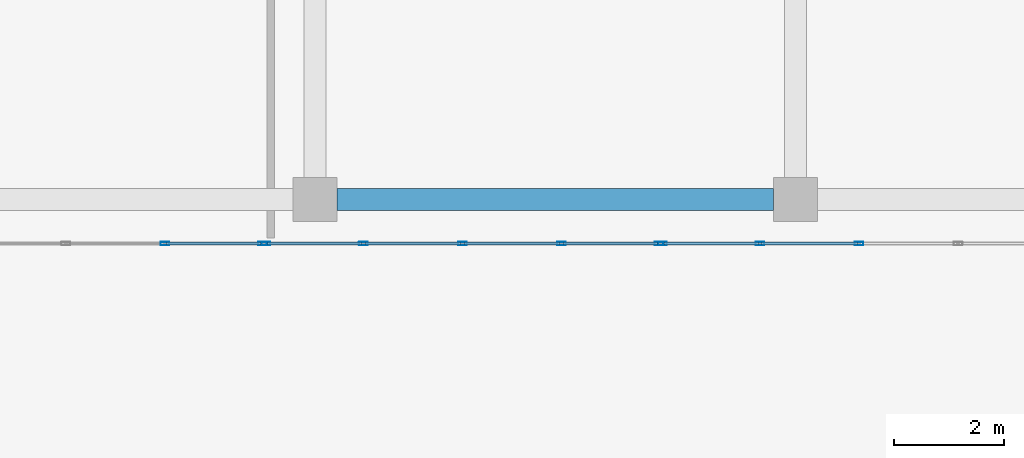
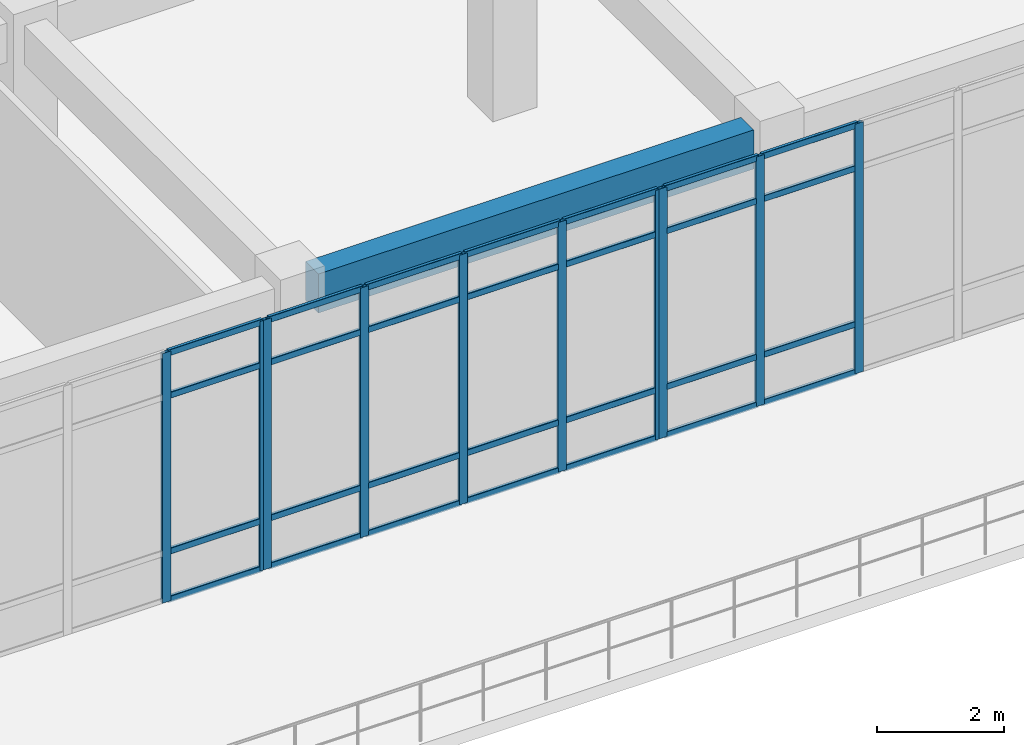
# One storey, part 13 of 96: 38 members, 1 beam, 3 elements without a shape of their own.
"""IFC4 building model written with IfcOpenShell, lengths in metres."""

from ifc_helpers import new_model, si_unit, derived_unit, direction, frame, origin, origin_2d, place, context, subcontext, project, spatial, rectangle, hollow_rectangle, extrude, material, layer, layer_set, material_profile, profile_set, type_object, element, aggregate, save


model = new_model("IFC4")

# Units and contexts
model_context = context("Model", 3, precision=1e-05, world=origin(), true_north=direction((0.0, 1.0)))
body_context = subcontext(model_context, "Body", "Model", "MODEL_VIEW")
ifc_project = project(units=[si_unit("LENGTHUNIT", "METRE"), si_unit("AREAUNIT", "SQUARE_METRE"), si_unit("VOLUMEUNIT", "CUBIC_METRE"), si_unit("PLANEANGLEUNIT", "RADIAN"), si_unit("MASSUNIT", "GRAM", prefix="KILO"), derived_unit("THERMALTRANSMITTANCEUNIT", [(si_unit("MASSUNIT", "GRAM", prefix="KILO"), 1), (si_unit("TIMEUNIT", "SECOND"), -3), (si_unit("THERMODYNAMICTEMPERATUREUNIT", "KELVIN"), -1)])], contexts=[model_context])

# Site, building, storey
site_placement = place(None, origin())
site = spatial("IfcSite", under=ifc_project, at=site_placement, CompositionType="ELEMENT")
building_placement = place(site_placement, origin())
building = spatial("IfcBuilding", under=site, at=building_placement, Name="Qinzheling Arcade Emporium", CompositionType="ELEMENT")
storey_placement = place(building_placement, frame((0.0, 0.0, 21.60009765625)))
storey = spatial("IfcBuildingStorey", under=building, at=storey_placement, Name="L05", CompositionType="ELEMENT", Elevation=21.60009765625)

# Curtain wall, members
ifc_material_1 = material(Name="Anodised aluminium and solar-control double glazing", Category="aluminium")
ifc_layer = layer(ifc_material_1, 0.159912109375, Name="Anodised aluminium and solar-control double glazing", Category="aluminium")
ifc_layer_set = layer_set([ifc_layer], Name="Anodised aluminium and solar-control double glazing")
curtain_wall_type = type_object("IfcCurtainWallType", Name="Arcade Portal Glazed Curtain Wall", PredefinedType="NOTDEFINED", material=ifc_layer_set)
curtain_wall_1_placement = place(storey_placement, origin())
curtain_wall_1 = element("IfcCurtainWall", 1, at=curtain_wall_1_placement, inside=storey, type_object=curtain_wall_type, Name="Curtain Wall CW-L05-299", PredefinedType="NOTDEFINED")
ifc_material_2 = material(Name="Anodised aluminium 6063-T6", Category="aluminium")
ifc_material_profile_1 = material_profile(ifc_material_2, hollow_rectangle(XDim=0.06005859375, YDim=0.159912109375, WallThickness=0.00390625, InnerFilletRadius=0.00390625, OuterFilletRadius=0.008056640625, at=origin_2d()), Name="RHS 160x60x4", Category="aluminium")
ifc_profile_set_1 = profile_set([ifc_material_profile_1], Name="Anodised aluminium 6063-T6")
member_type_1 = type_object("IfcMemberType", Name="Curtain Wall Mullion RHS160x60", PredefinedType="MULLION", material=ifc_profile_set_1)
member_1_placement = place(storey_placement, frame((44.64990234375, 7.60009765625, 0.0), z_axis=(0.0, 0.0, 1.0), x_axis=(0.0, -1.0, 0.0)))
member_1 = element("IfcMember", 2, at=member_1_placement, type_object=member_type_1, Name="CW05 mullion 3", PredefinedType="MULLION", context=body_context, shape_type="SweptSolid", body=[
    extrude(hollow_rectangle(XDim=0.06005859375, YDim=0.159912109375, WallThickness=0.00390625, InnerFilletRadius=0.00390625, OuterFilletRadius=0.008056640625, at=origin_2d()), origin(), (0.0, 0.0, 1.0), 4.789794921875),
])
member_2_placement = place(storey_placement, frame((42.85595703125, 7.60009765625, 0.0), z_axis=(0.0, 0.0, 1.0), x_axis=(0.0, -1.0, 0.0)))
member_2 = element("IfcMember", 3, at=member_2_placement, type_object=member_type_1, Name="CW05 mullion 4", PredefinedType="MULLION", context=body_context, shape_type="SweptSolid", body=[
    extrude(hollow_rectangle(XDim=0.06005859375, YDim=0.159912109375, WallThickness=0.00390625, InnerFilletRadius=0.00390625, OuterFilletRadius=0.008056640625, at=origin_2d()), origin(), (0.0, 0.0, 1.0), 4.789794921875),
])
member_3_placement = place(storey_placement, frame((41.092041015625, 7.60009765625, 0.0), z_axis=(0.0, 0.0, 1.0), x_axis=(0.0, -1.0, 0.0)))
member_3 = element("IfcMember", 4, at=member_3_placement, type_object=member_type_1, Name="CW05 mullion 5", PredefinedType="MULLION", context=body_context, shape_type="SweptSolid", body=[
    extrude(hollow_rectangle(XDim=0.06005859375, YDim=0.159912109375, WallThickness=0.00390625, InnerFilletRadius=0.00390625, OuterFilletRadius=0.008056640625, at=origin_2d()), origin(), (0.0, 0.0, 1.0), 4.789794921875),
])

curtain_wall_2_placement = place(storey_placement, origin())
curtain_wall_2 = element("IfcCurtainWall", 5, at=curtain_wall_2_placement, inside=storey, type_object=curtain_wall_type, Name="Curtain Wall CW-L05-300", PredefinedType="NOTDEFINED")
member_4_placement = place(storey_placement, frame((41.028076171875, 7.60009765625, 0.0), z_axis=(0.0, 0.0, 1.0), x_axis=(0.0, -1.0, 0.0)))
member_4 = element("IfcMember", 6, at=member_4_placement, type_object=member_type_1, Name="CW05 mullion 1", PredefinedType="MULLION", context=body_context, shape_type="SweptSolid", body=[
    extrude(hollow_rectangle(XDim=0.06005859375, YDim=0.159912109375, WallThickness=0.00390625, InnerFilletRadius=0.00390625, OuterFilletRadius=0.008056640625, at=origin_2d()), origin(), (0.0, 0.0, 1.0), 4.789794921875),
])
member_5_placement = place(storey_placement, frame((39.263916015625, 7.60009765625, 0.0), z_axis=(0.0, 0.0, 1.0), x_axis=(0.0, -1.0, 0.0)))
member_5 = element("IfcMember", 7, at=member_5_placement, type_object=member_type_1, Name="CW05 mullion 2", PredefinedType="MULLION", context=body_context, shape_type="SweptSolid", body=[
    extrude(hollow_rectangle(XDim=0.06005859375, YDim=0.159912109375, WallThickness=0.00390625, InnerFilletRadius=0.00390625, OuterFilletRadius=0.008056640625, at=origin_2d()), origin(), (0.0, 0.0, 1.0), 4.789794921875),
])
member_6_placement = place(storey_placement, frame((37.469970703125, 7.60009765625, 0.0), z_axis=(0.0, 0.0, 1.0), x_axis=(0.0, -1.0, 0.0)))
member_6 = element("IfcMember", 8, at=member_6_placement, type_object=member_type_1, Name="CW05 mullion 3", PredefinedType="MULLION", context=body_context, shape_type="SweptSolid", body=[
    extrude(hollow_rectangle(XDim=0.06005859375, YDim=0.159912109375, WallThickness=0.00390625, InnerFilletRadius=0.00390625, OuterFilletRadius=0.008056640625, at=origin_2d()), origin(), (0.0, 0.0, 1.0), 4.789794921875),
])
member_7_placement = place(storey_placement, frame((35.676025390625, 7.60009765625, 0.0), z_axis=(0.0, 0.0, 1.0), x_axis=(0.0, -1.0, 0.0)))
member_7 = element("IfcMember", 9, at=member_7_placement, type_object=member_type_1, Name="CW05 mullion 4", PredefinedType="MULLION", context=body_context, shape_type="SweptSolid", body=[
    extrude(hollow_rectangle(XDim=0.06005859375, YDim=0.159912109375, WallThickness=0.00390625, InnerFilletRadius=0.00390625, OuterFilletRadius=0.008056640625, at=origin_2d()), origin(), (0.0, 0.0, 1.0), 4.789794921875),
])
member_8_placement = place(storey_placement, frame((33.912109375, 7.60009765625, 0.0), z_axis=(0.0, 0.0, 1.0), x_axis=(0.0, -1.0, 0.0)))
member_8 = element("IfcMember", 10, at=member_8_placement, type_object=member_type_1, Name="CW05 mullion 5", PredefinedType="MULLION", context=body_context, shape_type="SweptSolid", body=[
    extrude(hollow_rectangle(XDim=0.06005859375, YDim=0.159912109375, WallThickness=0.00390625, InnerFilletRadius=0.00390625, OuterFilletRadius=0.008056640625, at=origin_2d()), origin(), (0.0, 0.0, 1.0), 4.789794921875),
])

curtain_wall_3_placement = place(storey_placement, origin())
curtain_wall_3 = element("IfcCurtainWall", 11, at=curtain_wall_3_placement, inside=storey, type_object=curtain_wall_type, Name="Curtain Wall CW-L05-301", PredefinedType="NOTDEFINED")
member_9_placement = place(storey_placement, frame((33.847900390625, 7.60009765625, 0.0), z_axis=(0.0, 0.0, 1.0), x_axis=(0.0, -1.0, 0.0)))
member_9 = element("IfcMember", 12, at=member_9_placement, type_object=member_type_1, Name="CW05 mullion 1", PredefinedType="MULLION", context=body_context, shape_type="SweptSolid", body=[
    extrude(hollow_rectangle(XDim=0.06005859375, YDim=0.159912109375, WallThickness=0.00390625, InnerFilletRadius=0.00390625, OuterFilletRadius=0.008056640625, at=origin_2d()), origin(), (0.0, 0.0, 1.0), 4.789794921875),
])
member_10_placement = place(storey_placement, frame((32.08349609375, 7.60009765625, 0.0), z_axis=(0.0, 0.0, 1.0), x_axis=(0.0, -1.0, 0.0)))
member_10 = element("IfcMember", 13, at=member_10_placement, type_object=member_type_1, Name="CW05 mullion 2", PredefinedType="MULLION", context=body_context, shape_type="SweptSolid", body=[
    extrude(hollow_rectangle(XDim=0.06005859375, YDim=0.159912109375, WallThickness=0.00390625, InnerFilletRadius=0.00390625, OuterFilletRadius=0.008056640625, at=origin_2d()), origin(), (0.0, 0.0, 1.0), 4.789794921875),
])

# Member
ifc_material_profile_2 = material_profile(ifc_material_2, hollow_rectangle(XDim=0.06005859375, YDim=0.1201171875, WallThickness=0.00390625, InnerFilletRadius=0.00390625, OuterFilletRadius=0.008056640625, at=origin_2d()), Name="RHS 120x60x4", Category="aluminium")
ifc_profile_set_2 = profile_set([ifc_material_profile_2], Name="Anodised aluminium 6063-T6")
member_type_2 = type_object("IfcMemberType", Name="Curtain Wall Transom RHS120x60", PredefinedType="USERDEFINED", material=ifc_profile_set_2)
member_11_placement = place(storey_placement, frame((44.6201171875, 7.60009765625, 0.02978515625), z_axis=(-1.0, 0.0, 0.0), x_axis=(0.0, -1.0, 0.0)))
member_11 = element("IfcMember", 14, at=member_11_placement, type_object=member_type_2, Name="CW05 transom 3.1", ObjectType="TRANSOM", PredefinedType="USERDEFINED", context=body_context, shape_type="SweptSolid", body=[
    extrude(hollow_rectangle(XDim=0.06005859375, YDim=0.1201171875, WallThickness=0.00390625, InnerFilletRadius=0.00390625, OuterFilletRadius=0.008056640625, at=origin_2d()), origin(), (0.0, 0.0, 1.0), 1.734130859375),
])

member_12_placement = place(storey_placement, frame((44.6201171875, 7.60009765625, 0.949951171875), z_axis=(-1.0, 0.0, 0.0), x_axis=(0.0, -1.0, 0.0)))
member_12 = element("IfcMember", 15, at=member_12_placement, type_object=member_type_2, Name="CW05 transom 3.2", ObjectType="TRANSOM", PredefinedType="USERDEFINED", context=body_context, shape_type="SweptSolid", body=[
    extrude(hollow_rectangle(XDim=0.06005859375, YDim=0.1201171875, WallThickness=0.00390625, InnerFilletRadius=0.00390625, OuterFilletRadius=0.008056640625, at=origin_2d()), origin(), (0.0, 0.0, 1.0), 1.734130859375),
])

member_13_placement = place(storey_placement, frame((44.6201171875, 7.60009765625, 3.93994140625), z_axis=(-1.0, 0.0, 0.0), x_axis=(0.0, -1.0, 0.0)))
member_13 = element("IfcMember", 16, at=member_13_placement, type_object=member_type_2, Name="CW05 transom 3.3", ObjectType="TRANSOM", PredefinedType="USERDEFINED", context=body_context, shape_type="SweptSolid", body=[
    extrude(hollow_rectangle(XDim=0.06005859375, YDim=0.1201171875, WallThickness=0.00390625, InnerFilletRadius=0.00390625, OuterFilletRadius=0.008056640625, at=origin_2d()), origin(), (0.0, 0.0, 1.0), 1.734130859375),
])

member_14_placement = place(storey_placement, frame((44.6201171875, 7.60009765625, 4.760009765625), z_axis=(-1.0, 0.0, 0.0), x_axis=(0.0, -1.0, 0.0)))
member_14 = element("IfcMember", 17, at=member_14_placement, type_object=member_type_2, Name="CW05 transom 3.4", ObjectType="TRANSOM", PredefinedType="USERDEFINED", context=body_context, shape_type="SweptSolid", body=[
    extrude(hollow_rectangle(XDim=0.06005859375, YDim=0.1201171875, WallThickness=0.00390625, InnerFilletRadius=0.00390625, OuterFilletRadius=0.008056640625, at=origin_2d()), origin(), (0.0, 0.0, 1.0), 1.734130859375),
])

member_15_placement = place(storey_placement, frame((42.825927734375, 7.60009765625, 0.02978515625), z_axis=(-1.0, 0.0, 0.0), x_axis=(0.0, -1.0, 0.0)))
member_15 = element("IfcMember", 18, at=member_15_placement, type_object=member_type_2, Name="CW05 transom 4.1", ObjectType="TRANSOM", PredefinedType="USERDEFINED", context=body_context, shape_type="SweptSolid", body=[
    extrude(hollow_rectangle(XDim=0.06005859375, YDim=0.1201171875, WallThickness=0.00390625, InnerFilletRadius=0.00390625, OuterFilletRadius=0.008056640625, at=origin_2d()), origin(), (0.0, 0.0, 1.0), 1.703857421875),
])

member_16_placement = place(storey_placement, frame((42.825927734375, 7.60009765625, 0.949951171875), z_axis=(-1.0, 0.0, 0.0), x_axis=(0.0, -1.0, 0.0)))
member_16 = element("IfcMember", 19, at=member_16_placement, type_object=member_type_2, Name="CW05 transom 4.2", ObjectType="TRANSOM", PredefinedType="USERDEFINED", context=body_context, shape_type="SweptSolid", body=[
    extrude(hollow_rectangle(XDim=0.06005859375, YDim=0.1201171875, WallThickness=0.00390625, InnerFilletRadius=0.00390625, OuterFilletRadius=0.008056640625, at=origin_2d()), origin(), (0.0, 0.0, 1.0), 1.703857421875),
])

member_17_placement = place(storey_placement, frame((42.825927734375, 7.60009765625, 3.93994140625), z_axis=(-1.0, 0.0, 0.0), x_axis=(0.0, -1.0, 0.0)))
member_17 = element("IfcMember", 20, at=member_17_placement, type_object=member_type_2, Name="CW05 transom 4.3", ObjectType="TRANSOM", PredefinedType="USERDEFINED", context=body_context, shape_type="SweptSolid", body=[
    extrude(hollow_rectangle(XDim=0.06005859375, YDim=0.1201171875, WallThickness=0.00390625, InnerFilletRadius=0.00390625, OuterFilletRadius=0.008056640625, at=origin_2d()), origin(), (0.0, 0.0, 1.0), 1.703857421875),
])

member_18_placement = place(storey_placement, frame((42.825927734375, 7.60009765625, 4.760009765625), z_axis=(-1.0, 0.0, 0.0), x_axis=(0.0, -1.0, 0.0)))
member_18 = element("IfcMember", 21, at=member_18_placement, type_object=member_type_2, Name="CW05 transom 4.4", ObjectType="TRANSOM", PredefinedType="USERDEFINED", context=body_context, shape_type="SweptSolid", body=[
    extrude(hollow_rectangle(XDim=0.06005859375, YDim=0.1201171875, WallThickness=0.00390625, InnerFilletRadius=0.00390625, OuterFilletRadius=0.008056640625, at=origin_2d()), origin(), (0.0, 0.0, 1.0), 1.703857421875),
])

aggregate(curtain_wall_1, [member_1, member_2, member_3, member_11, member_12, member_13, member_14, member_15, member_16, member_17, member_18])

member_19_placement = place(storey_placement, frame((40.998046875, 7.60009765625, 0.02978515625), z_axis=(-1.0, 0.0, 0.0), x_axis=(0.0, -1.0, 0.0)))
member_19 = element("IfcMember", 22, at=member_19_placement, type_object=member_type_2, Name="CW05 transom 1.1", ObjectType="TRANSOM", PredefinedType="USERDEFINED", context=body_context, shape_type="SweptSolid", body=[
    extrude(hollow_rectangle(XDim=0.06005859375, YDim=0.1201171875, WallThickness=0.00390625, InnerFilletRadius=0.00390625, OuterFilletRadius=0.008056640625, at=origin_2d()), origin(), (0.0, 0.0, 1.0), 1.7041015625),
])

member_20_placement = place(storey_placement, frame((40.998046875, 7.60009765625, 0.949951171875), z_axis=(-1.0, 0.0, 0.0), x_axis=(0.0, -1.0, 0.0)))
member_20 = element("IfcMember", 23, at=member_20_placement, type_object=member_type_2, Name="CW05 transom 1.2", ObjectType="TRANSOM", PredefinedType="USERDEFINED", context=body_context, shape_type="SweptSolid", body=[
    extrude(hollow_rectangle(XDim=0.06005859375, YDim=0.1201171875, WallThickness=0.00390625, InnerFilletRadius=0.00390625, OuterFilletRadius=0.008056640625, at=origin_2d()), origin(), (0.0, 0.0, 1.0), 1.7041015625),
])

member_21_placement = place(storey_placement, frame((40.998046875, 7.60009765625, 3.93994140625), z_axis=(-1.0, 0.0, 0.0), x_axis=(0.0, -1.0, 0.0)))
member_21 = element("IfcMember", 24, at=member_21_placement, type_object=member_type_2, Name="CW05 transom 1.3", ObjectType="TRANSOM", PredefinedType="USERDEFINED", context=body_context, shape_type="SweptSolid", body=[
    extrude(hollow_rectangle(XDim=0.06005859375, YDim=0.1201171875, WallThickness=0.00390625, InnerFilletRadius=0.00390625, OuterFilletRadius=0.008056640625, at=origin_2d()), origin(), (0.0, 0.0, 1.0), 1.7041015625),
])

member_22_placement = place(storey_placement, frame((40.998046875, 7.60009765625, 4.760009765625), z_axis=(-1.0, 0.0, 0.0), x_axis=(0.0, -1.0, 0.0)))
member_22 = element("IfcMember", 25, at=member_22_placement, type_object=member_type_2, Name="CW05 transom 1.4", ObjectType="TRANSOM", PredefinedType="USERDEFINED", context=body_context, shape_type="SweptSolid", body=[
    extrude(hollow_rectangle(XDim=0.06005859375, YDim=0.1201171875, WallThickness=0.00390625, InnerFilletRadius=0.00390625, OuterFilletRadius=0.008056640625, at=origin_2d()), origin(), (0.0, 0.0, 1.0), 1.7041015625),
])

member_23_placement = place(storey_placement, frame((39.23388671875, 7.60009765625, 0.02978515625), z_axis=(-1.0, 0.0, 0.0), x_axis=(0.0, -1.0, 0.0)))
member_23 = element("IfcMember", 26, at=member_23_placement, type_object=member_type_2, Name="CW05 transom 2.1", ObjectType="TRANSOM", PredefinedType="USERDEFINED", context=body_context, shape_type="SweptSolid", body=[
    extrude(hollow_rectangle(XDim=0.06005859375, YDim=0.1201171875, WallThickness=0.00390625, InnerFilletRadius=0.00390625, OuterFilletRadius=0.008056640625, at=origin_2d()), origin(), (0.0, 0.0, 1.0), 1.73388671875),
])

member_24_placement = place(storey_placement, frame((39.23388671875, 7.60009765625, 0.949951171875), z_axis=(-1.0, 0.0, 0.0), x_axis=(0.0, -1.0, 0.0)))
member_24 = element("IfcMember", 27, at=member_24_placement, type_object=member_type_2, Name="CW05 transom 2.2", ObjectType="TRANSOM", PredefinedType="USERDEFINED", context=body_context, shape_type="SweptSolid", body=[
    extrude(hollow_rectangle(XDim=0.06005859375, YDim=0.1201171875, WallThickness=0.00390625, InnerFilletRadius=0.00390625, OuterFilletRadius=0.008056640625, at=origin_2d()), origin(), (0.0, 0.0, 1.0), 1.73388671875),
])

member_25_placement = place(storey_placement, frame((39.23388671875, 7.60009765625, 3.93994140625), z_axis=(-1.0, 0.0, 0.0), x_axis=(0.0, -1.0, 0.0)))
member_25 = element("IfcMember", 28, at=member_25_placement, type_object=member_type_2, Name="CW05 transom 2.3", ObjectType="TRANSOM", PredefinedType="USERDEFINED", context=body_context, shape_type="SweptSolid", body=[
    extrude(hollow_rectangle(XDim=0.06005859375, YDim=0.1201171875, WallThickness=0.00390625, InnerFilletRadius=0.00390625, OuterFilletRadius=0.008056640625, at=origin_2d()), origin(), (0.0, 0.0, 1.0), 1.73388671875),
])

member_26_placement = place(storey_placement, frame((39.23388671875, 7.60009765625, 4.760009765625), z_axis=(-1.0, 0.0, 0.0), x_axis=(0.0, -1.0, 0.0)))
member_26 = element("IfcMember", 29, at=member_26_placement, type_object=member_type_2, Name="CW05 transom 2.4", ObjectType="TRANSOM", PredefinedType="USERDEFINED", context=body_context, shape_type="SweptSolid", body=[
    extrude(hollow_rectangle(XDim=0.06005859375, YDim=0.1201171875, WallThickness=0.00390625, InnerFilletRadius=0.00390625, OuterFilletRadius=0.008056640625, at=origin_2d()), origin(), (0.0, 0.0, 1.0), 1.73388671875),
])

member_27_placement = place(storey_placement, frame((37.43994140625, 7.60009765625, 0.02978515625), z_axis=(-1.0, 0.0, 0.0), x_axis=(0.0, -1.0, 0.0)))
member_27 = element("IfcMember", 30, at=member_27_placement, type_object=member_type_2, Name="CW05 transom 3.1", ObjectType="TRANSOM", PredefinedType="USERDEFINED", context=body_context, shape_type="SweptSolid", body=[
    extrude(hollow_rectangle(XDim=0.06005859375, YDim=0.1201171875, WallThickness=0.00390625, InnerFilletRadius=0.00390625, OuterFilletRadius=0.008056640625, at=origin_2d()), origin(), (0.0, 0.0, 1.0), 1.73388671875),
])

member_28_placement = place(storey_placement, frame((37.43994140625, 7.60009765625, 0.949951171875), z_axis=(-1.0, 0.0, 0.0), x_axis=(0.0, -1.0, 0.0)))
member_28 = element("IfcMember", 31, at=member_28_placement, type_object=member_type_2, Name="CW05 transom 3.2", ObjectType="TRANSOM", PredefinedType="USERDEFINED", context=body_context, shape_type="SweptSolid", body=[
    extrude(hollow_rectangle(XDim=0.06005859375, YDim=0.1201171875, WallThickness=0.00390625, InnerFilletRadius=0.00390625, OuterFilletRadius=0.008056640625, at=origin_2d()), origin(), (0.0, 0.0, 1.0), 1.73388671875),
])

member_29_placement = place(storey_placement, frame((37.43994140625, 7.60009765625, 3.93994140625), z_axis=(-1.0, 0.0, 0.0), x_axis=(0.0, -1.0, 0.0)))
member_29 = element("IfcMember", 32, at=member_29_placement, type_object=member_type_2, Name="CW05 transom 3.3", ObjectType="TRANSOM", PredefinedType="USERDEFINED", context=body_context, shape_type="SweptSolid", body=[
    extrude(hollow_rectangle(XDim=0.06005859375, YDim=0.1201171875, WallThickness=0.00390625, InnerFilletRadius=0.00390625, OuterFilletRadius=0.008056640625, at=origin_2d()), origin(), (0.0, 0.0, 1.0), 1.73388671875),
])

member_30_placement = place(storey_placement, frame((37.43994140625, 7.60009765625, 4.760009765625), z_axis=(-1.0, 0.0, 0.0), x_axis=(0.0, -1.0, 0.0)))
member_30 = element("IfcMember", 33, at=member_30_placement, type_object=member_type_2, Name="CW05 transom 3.4", ObjectType="TRANSOM", PredefinedType="USERDEFINED", context=body_context, shape_type="SweptSolid", body=[
    extrude(hollow_rectangle(XDim=0.06005859375, YDim=0.1201171875, WallThickness=0.00390625, InnerFilletRadius=0.00390625, OuterFilletRadius=0.008056640625, at=origin_2d()), origin(), (0.0, 0.0, 1.0), 1.73388671875),
])

member_31_placement = place(storey_placement, frame((35.64599609375, 7.60009765625, 0.02978515625), z_axis=(-1.0, 0.0, 0.0), x_axis=(0.0, -1.0, 0.0)))
member_31 = element("IfcMember", 34, at=member_31_placement, type_object=member_type_2, Name="CW05 transom 4.1", ObjectType="TRANSOM", PredefinedType="USERDEFINED", context=body_context, shape_type="SweptSolid", body=[
    extrude(hollow_rectangle(XDim=0.06005859375, YDim=0.1201171875, WallThickness=0.00390625, InnerFilletRadius=0.00390625, OuterFilletRadius=0.008056640625, at=origin_2d()), origin(), (0.0, 0.0, 1.0), 1.7041015625),
])

member_32_placement = place(storey_placement, frame((35.64599609375, 7.60009765625, 0.949951171875), z_axis=(-1.0, 0.0, 0.0), x_axis=(0.0, -1.0, 0.0)))
member_32 = element("IfcMember", 35, at=member_32_placement, type_object=member_type_2, Name="CW05 transom 4.2", ObjectType="TRANSOM", PredefinedType="USERDEFINED", context=body_context, shape_type="SweptSolid", body=[
    extrude(hollow_rectangle(XDim=0.06005859375, YDim=0.1201171875, WallThickness=0.00390625, InnerFilletRadius=0.00390625, OuterFilletRadius=0.008056640625, at=origin_2d()), origin(), (0.0, 0.0, 1.0), 1.7041015625),
])

member_33_placement = place(storey_placement, frame((35.64599609375, 7.60009765625, 3.93994140625), z_axis=(-1.0, 0.0, 0.0), x_axis=(0.0, -1.0, 0.0)))
member_33 = element("IfcMember", 36, at=member_33_placement, type_object=member_type_2, Name="CW05 transom 4.3", ObjectType="TRANSOM", PredefinedType="USERDEFINED", context=body_context, shape_type="SweptSolid", body=[
    extrude(hollow_rectangle(XDim=0.06005859375, YDim=0.1201171875, WallThickness=0.00390625, InnerFilletRadius=0.00390625, OuterFilletRadius=0.008056640625, at=origin_2d()), origin(), (0.0, 0.0, 1.0), 1.7041015625),
])

member_34_placement = place(storey_placement, frame((35.64599609375, 7.60009765625, 4.760009765625), z_axis=(-1.0, 0.0, 0.0), x_axis=(0.0, -1.0, 0.0)))
member_34 = element("IfcMember", 37, at=member_34_placement, type_object=member_type_2, Name="CW05 transom 4.4", ObjectType="TRANSOM", PredefinedType="USERDEFINED", context=body_context, shape_type="SweptSolid", body=[
    extrude(hollow_rectangle(XDim=0.06005859375, YDim=0.1201171875, WallThickness=0.00390625, InnerFilletRadius=0.00390625, OuterFilletRadius=0.008056640625, at=origin_2d()), origin(), (0.0, 0.0, 1.0), 1.7041015625),
])

aggregate(curtain_wall_2, [member_4, member_5, member_6, member_7, member_8, member_19, member_20, member_21, member_22, member_23, member_24, member_25, member_26, member_27, member_28, member_29, member_30, member_31, member_32, member_33, member_34])

member_35_placement = place(storey_placement, frame((33.818115234375, 7.60009765625, 0.02978515625), z_axis=(-1.0, 0.0, 0.0), x_axis=(0.0, -1.0, 0.0)))
member_35 = element("IfcMember", 38, at=member_35_placement, type_object=member_type_2, Name="CW05 transom 1.1", ObjectType="TRANSOM", PredefinedType="USERDEFINED", context=body_context, shape_type="SweptSolid", body=[
    extrude(hollow_rectangle(XDim=0.06005859375, YDim=0.1201171875, WallThickness=0.00390625, InnerFilletRadius=0.00390625, OuterFilletRadius=0.008056640625, at=origin_2d()), origin(), (0.0, 0.0, 1.0), 1.70458984375),
])

member_36_placement = place(storey_placement, frame((33.818115234375, 7.60009765625, 0.949951171875), z_axis=(-1.0, 0.0, 0.0), x_axis=(0.0, -1.0, 0.0)))
member_36 = element("IfcMember", 39, at=member_36_placement, type_object=member_type_2, Name="CW05 transom 1.2", ObjectType="TRANSOM", PredefinedType="USERDEFINED", context=body_context, shape_type="SweptSolid", body=[
    extrude(hollow_rectangle(XDim=0.06005859375, YDim=0.1201171875, WallThickness=0.00390625, InnerFilletRadius=0.00390625, OuterFilletRadius=0.008056640625, at=origin_2d()), origin(), (0.0, 0.0, 1.0), 1.70458984375),
])

member_37_placement = place(storey_placement, frame((33.818115234375, 7.60009765625, 3.93994140625), z_axis=(-1.0, 0.0, 0.0), x_axis=(0.0, -1.0, 0.0)))
member_37 = element("IfcMember", 40, at=member_37_placement, type_object=member_type_2, Name="CW05 transom 1.3", ObjectType="TRANSOM", PredefinedType="USERDEFINED", context=body_context, shape_type="SweptSolid", body=[
    extrude(hollow_rectangle(XDim=0.06005859375, YDim=0.1201171875, WallThickness=0.00390625, InnerFilletRadius=0.00390625, OuterFilletRadius=0.008056640625, at=origin_2d()), origin(), (0.0, 0.0, 1.0), 1.70458984375),
])

member_38_placement = place(storey_placement, frame((33.818115234375, 7.60009765625, 4.760009765625), z_axis=(-1.0, 0.0, 0.0), x_axis=(0.0, -1.0, 0.0)))
member_38 = element("IfcMember", 41, at=member_38_placement, type_object=member_type_2, Name="CW05 transom 1.4", ObjectType="TRANSOM", PredefinedType="USERDEFINED", context=body_context, shape_type="SweptSolid", body=[
    extrude(hollow_rectangle(XDim=0.06005859375, YDim=0.1201171875, WallThickness=0.00390625, InnerFilletRadius=0.00390625, OuterFilletRadius=0.008056640625, at=origin_2d()), origin(), (0.0, 0.0, 1.0), 1.70458984375),
])

aggregate(curtain_wall_3, [member_9, member_10, member_35, member_36, member_37, member_38])

# Beam
ifc_material_3 = material(Name="Concrete C40", Category="concrete")
ifc_material_profile_3 = material_profile(ifc_material_3, rectangle(XDim=0.39990234375, YDim=0.75, at=origin_2d()), Name="RC 400x750", Category="concrete")
ifc_profile_set_3 = profile_set([ifc_material_profile_3], Name="Concrete C40")
beam_type = type_object("IfcBeamType", Name="RC Interior Tie Beam 400x750 C40", PredefinedType="BEAM", material=ifc_profile_set_3)
beam_placement = place(storey_placement, frame((35.199951171875, 8.39990234375, 4.44482421875), z_axis=(1.0, 0.0, 0.0), x_axis=(0.0, 1.0, 0.0)))
element("IfcBeam", 42, at=beam_placement, inside=storey, type_object=beam_type, Name="Beam BM-L05-X-B-5", PredefinedType="BEAM", context=body_context, shape_type="SweptSolid", body=[
    extrude(rectangle(XDim=0.39990234375, YDim=0.75, at=origin_2d()), origin(), (0.0, 0.0, 1.0), 7.900146484375),
])

save(model, "model.ifc")
